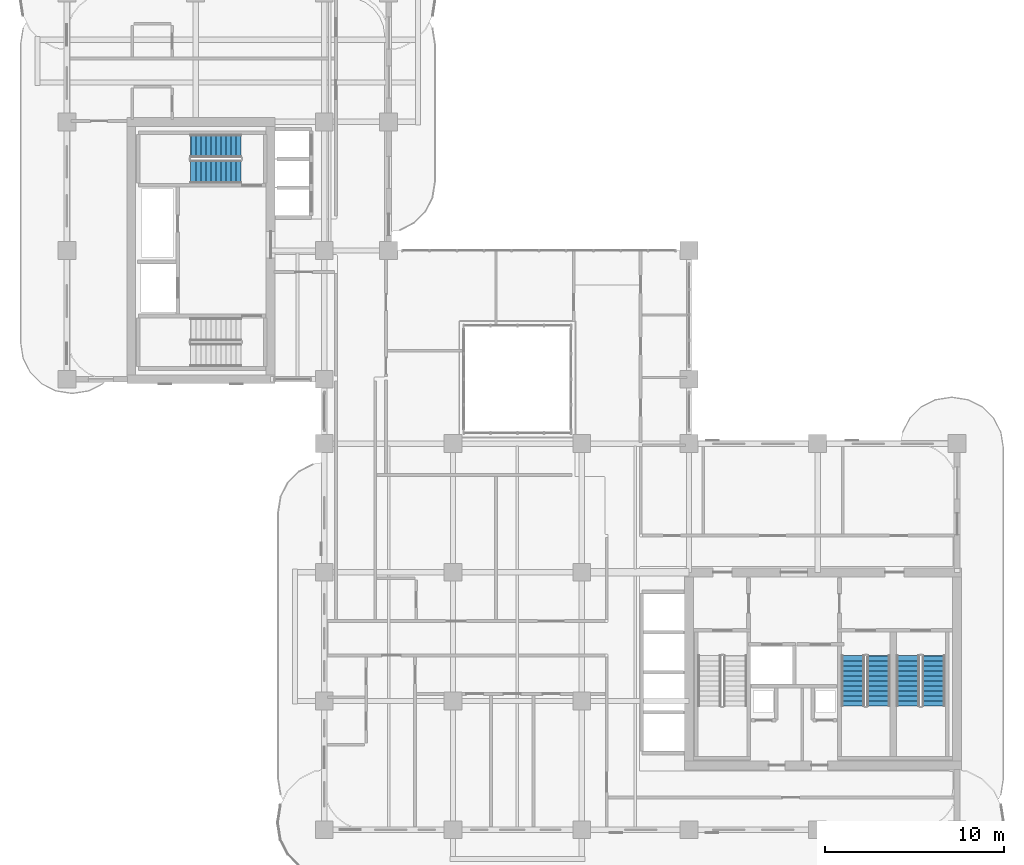
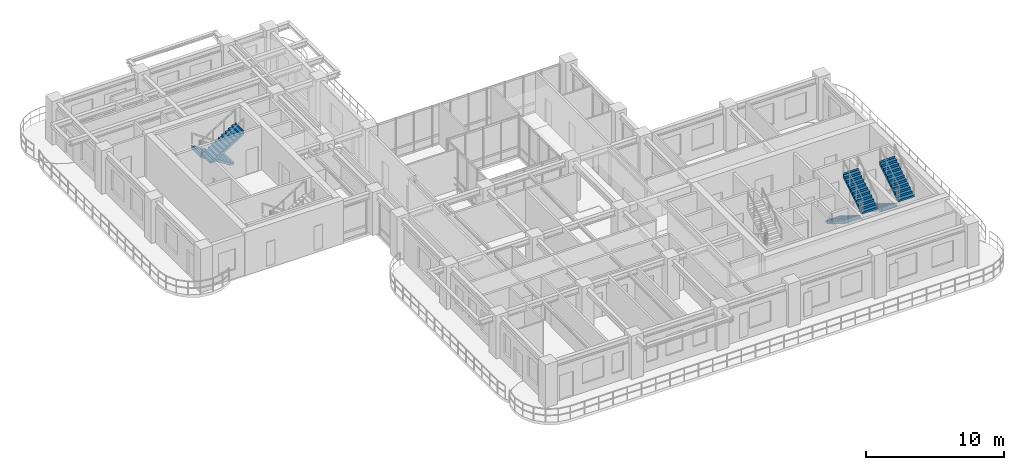
# One storey, part 16 of 20: 6 stair flights, 3 elements without a shape of their own.
"""IFC4 building model written with IfcOpenShell, lengths in metres."""

from ifc_helpers import new_model, si_unit, derived_unit, direction, frame, origin, place, context, subcontext, project, spatial, polyline, outline, extrude, source, transform, mapped, material, layer, layer_set, type_object, element, aggregate, save


model = new_model("IFC4")

# Units and contexts
model_context = context("Model", 3, precision=1e-05, world=origin(), true_north=direction((0.0, 1.0)))
body_context = subcontext(model_context, "Body", "Model", "MODEL_VIEW")
ifc_project = project(units=[si_unit("LENGTHUNIT", "METRE"), si_unit("AREAUNIT", "SQUARE_METRE"), si_unit("VOLUMEUNIT", "CUBIC_METRE"), si_unit("PLANEANGLEUNIT", "RADIAN"), si_unit("MASSUNIT", "GRAM", prefix="KILO"), si_unit("THERMODYNAMICTEMPERATUREUNIT", "KELVIN"), si_unit("POWERUNIT", "WATT"), derived_unit("THERMALTRANSMITTANCEUNIT", [(si_unit("POWERUNIT", "WATT"), 1), (si_unit("AREAUNIT", "SQUARE_METRE"), -1), (si_unit("THERMODYNAMICTEMPERATUREUNIT", "KELVIN"), -1)])], contexts=[model_context])

# Site, building, storey
site_placement = place(None, origin())
site = spatial("IfcSite", under=ifc_project, at=site_placement, CompositionType="ELEMENT")
building_placement = place(site_placement, origin())
building = spatial("IfcBuilding", under=site, at=building_placement, Name="Zahravan Archway Hotel and Residences", CompositionType="ELEMENT")
storey_placement = place(building_placement, frame((0.0, 0.0, 177.25)))
storey = spatial("IfcBuildingStorey", under=building, at=storey_placement, Name="L44", CompositionType="ELEMENT", Elevation=177.25)

# Stair, stair flights
ifc_material = material(Name="Concrete C50/60", Category="concrete")
stair_type = type_object("IfcStairType", Name="STR-CORE-1300", PredefinedType="HALF_TURN_STAIR", material=ifc_material)
stair_1_placement = place(storey_placement, origin())
stair_1 = element("IfcStair", 1, at=stair_1_placement, inside=storey, type_object=stair_type, Name="L44 Core A Exit Stair 2", PredefinedType="HALF_TURN_STAIR")
ifc_layer = layer(ifc_material, 0.199951171875, Name="Concrete C50/60", Category="concrete")
ifc_layer_set = layer_set([ifc_layer], Name="Concrete C50/60")
stair_flight_type = type_object("IfcStairFlightType", Name="SFL-CORE-1300", PredefinedType="STRAIGHT", material=ifc_layer_set)
shared_shape = source(origin(), body_context, "Body", "SweptSolid", [
    extrude(outline(polyline([(-0.01611328125, 0.0), (-0.01611328125, 0.175048828125), (0.280029296875, 0.175048828125), (0.280029296875, 0.35009765625), (0.56005859375, 0.35009765625), (0.56005859375, 0.52490234375), (0.840087890625, 0.52490234375), (0.840087890625, 0.699951171875), (1.1201171875, 0.699951171875), (1.1201171875, 0.875), (1.39990234375, 0.875), (1.39990234375, 1.050048828125), (1.679931640625, 1.050048828125), (1.679931640625, 1.22509765625), (1.9599609375, 1.22509765625), (1.9599609375, 1.39990234375), (2.239990234375, 1.39990234375), (2.239990234375, 1.574951171875), (2.52001953125, 1.574951171875), (2.52001953125, 1.75), (2.800048828125, 1.75), (2.800048828125, 1.925048828125), (2.816162109375, 1.925048828125), (2.816162109375, 1.5732421875), (0.28271484375, 0.0), (-0.01611328125, 0.0)])), frame((0.0, 0.64990234375, 0.0), z_axis=(0.0, -1.0, 0.0), x_axis=(1.0, 0.0, 0.0)), (0.0, 0.0, 1.0), 1.300048828125),
])
stair_flight_1_placement = place(storey_placement, frame((43.969970703125, 9.72998046875, 0.0), z_axis=(0.0, 0.0, 1.0), x_axis=(0.0, -1.0, 0.0)))
stair_flight_1 = element("IfcStairFlight", 2, at=stair_flight_1_placement, type_object=stair_flight_type, Name="ST-A2 flight 1", NumberOfRisers=11, NumberOfTreads=10, PredefinedType="STRAIGHT", RiserHeight=0.175, TreadLength=0.28, context=body_context, shape_type="MappedRepresentation", body=[
    mapped(shared_shape, transform((0.0, 0.0, 0.0), scale=1.0)),
])
stair_flight_2_placement = place(storey_placement, frame((45.409912109375, 6.929931640625, 1.925048828125), z_axis=(0.0, 0.0, 1.0), x_axis=(0.0, 1.0, 0.0)))
stair_flight_2 = element("IfcStairFlight", 3, at=stair_flight_2_placement, type_object=stair_flight_type, Name="ST-A2 flight 2", NumberOfRisers=11, NumberOfTreads=10, PredefinedType="STRAIGHT", RiserHeight=0.175, TreadLength=0.28, context=body_context, shape_type="MappedRepresentation", body=[
    mapped(shared_shape, transform((0.0, 0.0, 0.0), scale=1.0)),
])
aggregate(stair_1, [stair_flight_1, stair_flight_2])

stair_2_placement = place(storey_placement, origin())
stair_2 = element("IfcStair", 4, at=stair_2_placement, inside=storey, type_object=stair_type, Name="L44 Core A Exit Stair 3", PredefinedType="HALF_TURN_STAIR")
stair_flight_3_placement = place(storey_placement, frame((47.050048828125, 9.72998046875, 0.0), z_axis=(0.0, 0.0, 1.0), x_axis=(0.0, -1.0, 0.0)))
stair_flight_3 = element("IfcStairFlight", 5, at=stair_flight_3_placement, type_object=stair_flight_type, Name="ST-A3 flight 1", NumberOfRisers=11, NumberOfTreads=10, PredefinedType="STRAIGHT", RiserHeight=0.175, TreadLength=0.28, context=body_context, shape_type="MappedRepresentation", body=[
    mapped(shared_shape, transform((0.0, 0.0, 0.0), scale=1.0)),
])
stair_flight_4_placement = place(storey_placement, frame((48.489990234375, 6.929931640625, 1.925048828125), z_axis=(0.0, 0.0, 1.0), x_axis=(0.0, 1.0, 0.0)))
stair_flight_4 = element("IfcStairFlight", 6, at=stair_flight_4_placement, type_object=stair_flight_type, Name="ST-A3 flight 2", NumberOfRisers=11, NumberOfTreads=10, PredefinedType="STRAIGHT", RiserHeight=0.175, TreadLength=0.28, context=body_context, shape_type="MappedRepresentation", body=[
    mapped(shared_shape, transform((0.0, 0.0, 0.0), scale=1.0)),
])
aggregate(stair_2, [stair_flight_3, stair_flight_4])

stair_3_placement = place(storey_placement, origin())
stair_3 = element("IfcStair", 7, at=stair_3_placement, inside=storey, type_object=stair_type, Name="L44 Core B Exit Stair 2", PredefinedType="HALF_TURN_STAIR")
stair_flight_5_placement = place(storey_placement, frame((9.72998046875, 38.25, 0.0), z_axis=(0.0, 0.0, 1.0), x_axis=(-1.0, 0.0, 0.0)))
stair_flight_5 = element("IfcStairFlight", 8, at=stair_flight_5_placement, type_object=stair_flight_type, Name="ST-B2 flight 1", NumberOfRisers=11, NumberOfTreads=10, PredefinedType="STRAIGHT", RiserHeight=0.175, TreadLength=0.28, context=body_context, shape_type="MappedRepresentation", body=[
    mapped(shared_shape, transform((0.0, 0.0, 0.0), scale=1.0)),
])
stair_flight_6_placement = place(storey_placement, frame((6.929931640625, 36.81005859375, 1.925048828125), z_axis=(0.0, 0.0, 1.0), x_axis=(1.0, 0.0, 0.0)))
stair_flight_6 = element("IfcStairFlight", 9, at=stair_flight_6_placement, type_object=stair_flight_type, Name="ST-B2 flight 2", NumberOfRisers=11, NumberOfTreads=10, PredefinedType="STRAIGHT", RiserHeight=0.175, TreadLength=0.28, context=body_context, shape_type="MappedRepresentation", body=[
    mapped(shared_shape, transform((0.0, 0.0, 0.0), scale=1.0)),
])
aggregate(stair_3, [stair_flight_5, stair_flight_6])

save(model, "model.ifc")
